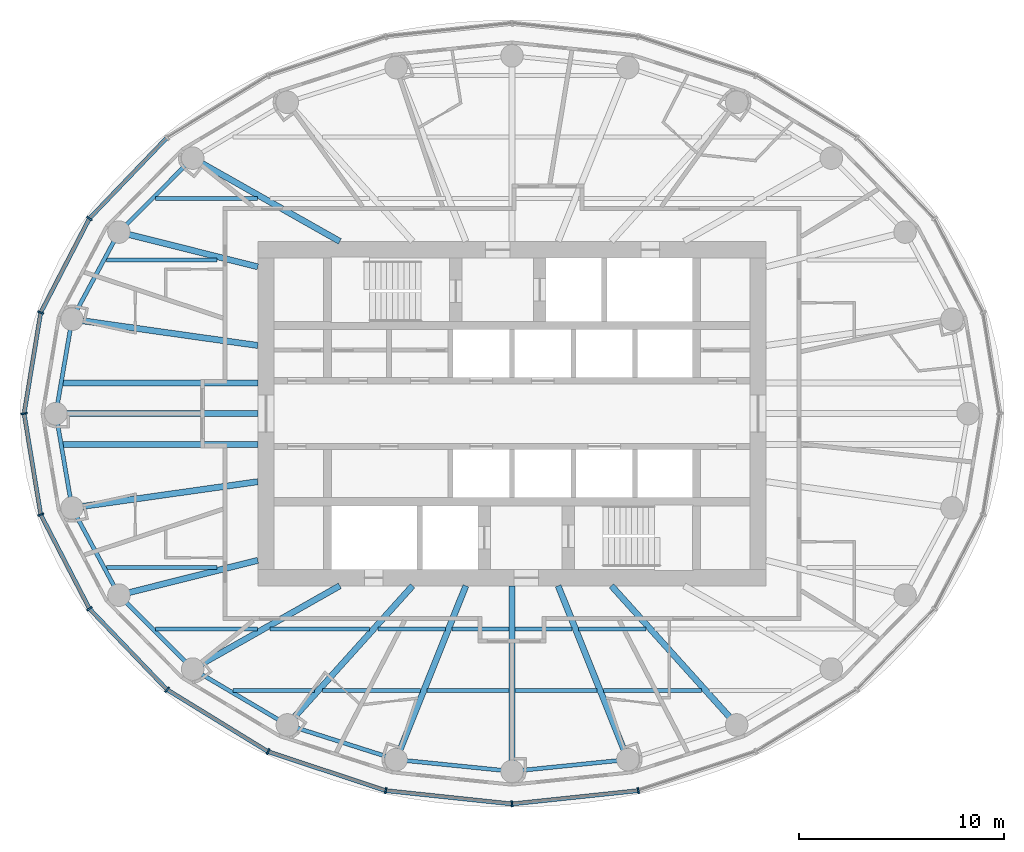
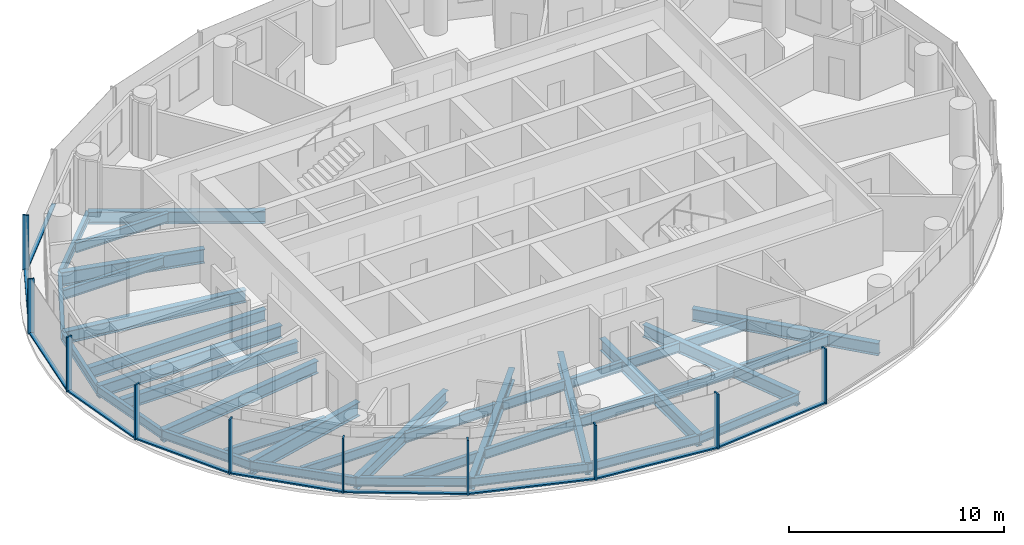
# One storey, part 2 of 13: 38 beams, 20 members, 3 elements without a shape of their own.
"""IFC4 building model written with IfcOpenShell, lengths in metres."""

from ifc_helpers import new_model, si_unit, direction, frame, origin, origin_2d, place, context, subcontext, project, spatial, rectangle, i_section, extrude, material, material_profile, profile_set, type_object, element, aggregate, save


model = new_model("IFC4")

# Units and contexts
model_context = context("Model", 3, precision=1e-05, world=origin(), true_north=direction((0.0, 1.0)))
body_context = subcontext(model_context, "Body", "Model", "MODEL_VIEW")
ifc_project = project(units=[si_unit("LENGTHUNIT", "METRE"), si_unit("AREAUNIT", "SQUARE_METRE"), si_unit("VOLUMEUNIT", "CUBIC_METRE"), si_unit("PLANEANGLEUNIT", "RADIAN"), si_unit("MASSUNIT", "GRAM", prefix="KILO")], contexts=[model_context])

# Site, building, storey
site_placement = place(None, origin())
site = spatial("IfcSite", under=ifc_project, at=site_placement, CompositionType="ELEMENT")
building_placement = place(site_placement, origin())
building = spatial("IfcBuilding", under=site, at=building_placement, Name="Hankou Lantern Tower", CompositionType="ELEMENT")
storey_placement = place(building_placement, frame((0.0, 0.0, 159.89990234375)))
storey = spatial("IfcBuildingStorey", under=building, at=storey_placement, Name="L42", CompositionType="ELEMENT", Elevation=159.89990234375)

# Beams
ifc_material_1 = material(Name="Steel Q355B", Category="steel")
ifc_material_profile_1 = material_profile(ifc_material_1, i_section(OverallWidth=0.199951171875, OverallDepth=0.5, WebThickness=0.010009765625, FlangeThickness=0.01611328125, FilletRadius=0.012939453125, at=origin_2d()), Name="HN500x200x10x16")
ifc_profile_set_1 = profile_set([ifc_material_profile_1], Name="Steel Q355B")
beam_type_1 = type_object("IfcBeamType", Name="EB5 RING BEAM HN500x200x10x16", PredefinedType="SPANDREL", material=ifc_profile_set_1)
beam_1_placement = place(storey_placement, frame((-15.576171875, 12.4609375, -0.429931640625), z_axis=(-0.706147278092, -0.708064984054, 0.0), x_axis=(0.708064984054, -0.706147278092, 0.0)))
element("IfcBeam", 1, at=beam_1_placement, inside=storey, type_object=beam_type_1, Name="Ring beam R10-R11 L42", PredefinedType="SPANDREL", context=body_context, shape_type="SweptSolid", body=[
    extrude(i_section(OverallWidth=0.199951171875, OverallDepth=0.5, WebThickness=0.010009765625, FlangeThickness=0.01611328125, FilletRadius=0.012939453125, at=origin_2d()), origin(), (0.0, 0.0, 1.0), 5.09228515625),
])
beam_2_placement = place(storey_placement, frame((-19.172119140625, 8.855224609375, -0.429931640625), z_axis=(-0.474051612334, -0.880497057828, 0.0), x_axis=(0.880497057828, -0.474051612334, 0.0)))
element("IfcBeam", 2, at=beam_2_placement, inside=storey, type_object=beam_type_1, Name="Ring beam R11-R12 L42", PredefinedType="SPANDREL", context=body_context, shape_type="SweptSolid", body=[
    extrude(i_section(OverallWidth=0.199951171875, OverallDepth=0.5, WebThickness=0.010009765625, FlangeThickness=0.01611328125, FilletRadius=0.012939453125, at=origin_2d()), origin(), (0.0, 0.0, 1.0), 4.831787109375),
])
for number, where, z_axis, x_axis, name in (
    (3, (-21.462646484375, 4.600830078125, -0.429931640625), (-0.168680718946, -0.985670743735, 0.0), (0.985670743735, -0.168680718946, 0.0), "Ring beam R12-R13 L42"),
    (4, (-22.25, 0.0, -0.429931640625), (0.168680718946, -0.985670743735, 0.0), (0.985670743735, 0.168680718946, 0.0), "Ring beam R13-R14 L42"),
):
    element("IfcBeam", number, at=place(storey_placement, frame(where, z_axis=z_axis, x_axis=x_axis)), inside=storey, type_object=beam_type_1, Name=name, PredefinedType="SPANDREL", context=body_context, shape_type="SweptSolid", body=[
        extrude(i_section(OverallWidth=0.199951171875, OverallDepth=0.5, WebThickness=0.010009765625, FlangeThickness=0.01611328125, FilletRadius=0.012939453125, at=origin_2d()), origin(), (0.0, 0.0, 1.0), 4.667724609375),
    ])
beam_3_placement = place(storey_placement, frame((-21.462646484375, -4.600830078125, -0.429931640625), z_axis=(0.474051612334, -0.880497057828, 0.0), x_axis=(0.880497057828, 0.474051612334, 0.0)))
element("IfcBeam", 5, at=beam_3_placement, inside=storey, type_object=beam_type_1, Name="Ring beam R14-R15 L42", PredefinedType="SPANDREL", context=body_context, shape_type="SweptSolid", body=[
    extrude(i_section(OverallWidth=0.199951171875, OverallDepth=0.5, WebThickness=0.010009765625, FlangeThickness=0.01611328125, FilletRadius=0.012939453125, at=origin_2d()), origin(), (0.0, 0.0, 1.0), 4.831787109375),
])
beam_4_placement = place(storey_placement, frame((-19.172119140625, -8.855224609375, -0.429931640625), z_axis=(0.706147278092, -0.708064984054, 0.0), x_axis=(0.708064984054, 0.706147278092, 0.0)))
element("IfcBeam", 6, at=beam_4_placement, inside=storey, type_object=beam_type_1, Name="Ring beam R15-R16 L42", PredefinedType="SPANDREL", context=body_context, shape_type="SweptSolid", body=[
    extrude(i_section(OverallWidth=0.199951171875, OverallDepth=0.5, WebThickness=0.010009765625, FlangeThickness=0.01611328125, FilletRadius=0.012939453125, at=origin_2d()), origin(), (0.0, 0.0, 1.0), 5.09228515625),
])
beam_5_placement = place(storey_placement, frame((-15.576171875, -12.4609375, -0.429931640625), z_axis=(0.861135888339, -0.508374843806, 0.0), x_axis=(0.508374843806, 0.861135888339, 0.0)))
element("IfcBeam", 7, at=beam_5_placement, inside=storey, type_object=beam_type_1, Name="Ring beam R16-R17 L42", PredefinedType="SPANDREL", context=body_context, shape_type="SweptSolid", body=[
    extrude(i_section(OverallWidth=0.199951171875, OverallDepth=0.5, WebThickness=0.010009765625, FlangeThickness=0.01611328125, FilletRadius=0.012939453125, at=origin_2d()), origin(), (0.0, 0.0, 1.0), 5.36083984375),
])
beam_6_placement = place(storey_placement, frame((-10.959716796875, -15.186279296875, -0.429931640625), z_axis=(0.952790404271, -0.30362879562, 0.0), x_axis=(0.30362879562, 0.952790404271, 0.0)))
element("IfcBeam", 8, at=beam_6_placement, inside=storey, type_object=beam_type_1, Name="Ring beam R17-R18 L42", PredefinedType="SPANDREL", context=body_context, shape_type="SweptSolid", body=[
    extrude(i_section(OverallWidth=0.199951171875, OverallDepth=0.5, WebThickness=0.010009765625, FlangeThickness=0.01611328125, FilletRadius=0.012939453125, at=origin_2d()), origin(), (0.0, 0.0, 1.0), 5.56982421875),
])
for number, where, z_axis, x_axis, name in (
    (9, (-5.65283203125, -16.87744140625, -0.429931640625), (0.9949104636, -0.100762936734, 0.0), (0.100762936734, 0.9949104636, 0.0), "Ring beam R18-R19 L42"),
    (10, (0.0, -17.449951171875, -0.429931640625), (0.9949104636, 0.100762936734, 0.0), (-0.100762936734, 0.9949104636, 0.0), "Ring beam R19-R20 L42"),
):
    element("IfcBeam", number, at=place(storey_placement, frame(where, z_axis=z_axis, x_axis=x_axis)), inside=storey, type_object=beam_type_1, Name=name, PredefinedType="SPANDREL", context=body_context, shape_type="SweptSolid", body=[
        extrude(i_section(OverallWidth=0.199951171875, OverallDepth=0.5, WebThickness=0.010009765625, FlangeThickness=0.01611328125, FilletRadius=0.012939453125, at=origin_2d()), origin(), (0.0, 0.0, 1.0), 5.681640625),
    ])

# Curtain wall, members
ifc_material_2 = material(Name="Glass, dark grey tinted laminated", Category="glass")
curtain_wall_type = type_object("IfcCurtainWallType", Name="CWC OUTER SKIN HIGH-RISE", PredefinedType="USERDEFINED", material=ifc_material_2)
curtain_wall_1_placement = place(storey_placement, origin())
curtain_wall_1 = element("IfcCurtainWall", 11, at=curtain_wall_1_placement, inside=storey, type_object=curtain_wall_type, Name="CWC L42 OS2", ObjectType="OUTER SKIN HIGH-RISE", PredefinedType="USERDEFINED")
ifc_material_3 = material(Name="Aluminium, black anodised", Category="aluminium")
ifc_material_profile_2 = material_profile(ifc_material_3, rectangle(XDim=0.080078125, YDim=0.300048828125, at=origin_2d()), Name="MU1 80X300")
ifc_profile_set_2 = profile_set([ifc_material_profile_2], Name="Aluminium, black anodised")
member_type_1 = type_object("IfcMemberType", Name="MU1 OUTER SKIN MULLION 80X300", PredefinedType="MULLION", material=ifc_profile_set_2)
member_1_placement = place(storey_placement, frame((-20.611328125, 9.52001953125, 0.0), z_axis=(0.0, 0.0, 1.0), x_axis=(-0.585205735974, -0.810884854084, 0.0)))
member_1 = element("IfcMember", 12, at=member_1_placement, type_object=member_type_1, Name="CWC mullion 5", PredefinedType="MULLION", context=body_context, shape_type="SweptSolid", body=[
    extrude(rectangle(XDim=0.080078125, YDim=0.300048828125, at=origin_2d()), origin(), (0.0, 0.0, 1.0), 3.1201171875),
])
member_2_placement = place(storey_placement, frame((-22.989013671875, 4.927978515625, 0.0), z_axis=(0.0, 0.0, 1.0), x_axis=(-0.317595577365, -0.94822626479, 0.0)))
member_2 = element("IfcMember", 13, at=member_2_placement, type_object=member_type_1, Name="CWC mullion 6", PredefinedType="MULLION", context=body_context, shape_type="SweptSolid", body=[
    extrude(rectangle(XDim=0.080078125, YDim=0.300048828125, at=origin_2d()), origin(), (0.0, 0.0, 1.0), 3.1201171875),
])

curtain_wall_2_placement = place(storey_placement, origin())
curtain_wall_2 = element("IfcCurtainWall", 14, at=curtain_wall_2_placement, inside=storey, type_object=curtain_wall_type, Name="CWC L42 OS3", ObjectType="OUTER SKIN HIGH-RISE", PredefinedType="USERDEFINED")
member_3_placement = place(storey_placement, frame((-23.800048828125, 0.0, 0.0), z_axis=(0.0, 0.0, 1.0), x_axis=(0.162381515188, -0.986728049427, 0.0)))
member_3 = element("IfcMember", 15, at=member_3_placement, type_object=member_type_1, Name="CWC mullion 1", PredefinedType="MULLION", context=body_context, shape_type="SweptSolid", body=[
    extrude(rectangle(XDim=0.080078125, YDim=0.300048828125, at=origin_2d()), origin(), (0.0, 0.0, 1.0), 3.1201171875),
])
member_4_placement = place(storey_placement, frame((-22.989013671875, -4.927978515625, 0.0), z_axis=(0.0, 0.0, 1.0), x_axis=(0.317595577365, -0.94822626479, 0.0)))
member_4 = element("IfcMember", 16, at=member_4_placement, type_object=member_type_1, Name="CWC mullion 2", PredefinedType="MULLION", context=body_context, shape_type="SweptSolid", body=[
    extrude(rectangle(XDim=0.080078125, YDim=0.300048828125, at=origin_2d()), origin(), (0.0, 0.0, 1.0), 3.1201171875),
])
member_5_placement = place(storey_placement, frame((-20.611328125, -9.52001953125, 0.0), z_axis=(0.0, 0.0, 1.0), x_axis=(0.585205735974, -0.810884854084, 0.0)))
member_5 = element("IfcMember", 17, at=member_5_placement, type_object=member_type_1, Name="CWC mullion 3", PredefinedType="MULLION", context=body_context, shape_type="SweptSolid", body=[
    extrude(rectangle(XDim=0.080078125, YDim=0.300048828125, at=origin_2d()), origin(), (0.0, 0.0, 1.0), 3.1201171875),
])
member_6_placement = place(storey_placement, frame((-16.8291015625, -13.46337890625, 0.0), z_axis=(0.0, 0.0, 1.0), x_axis=(0.780868809444, -0.624695047553, 0.0)))
member_6 = element("IfcMember", 18, at=member_6_placement, type_object=member_type_1, Name="CWC mullion 4", PredefinedType="MULLION", context=body_context, shape_type="SweptSolid", body=[
    extrude(rectangle(XDim=0.080078125, YDim=0.300048828125, at=origin_2d()), origin(), (0.0, 0.0, 1.0), 3.1201171875),
])
member_7_placement = place(storey_placement, frame((-11.89990234375, -16.489013671875, 0.0), z_axis=(0.0, 0.0, 1.0), x_axis=(0.907841299004, -0.419313934686, 0.0)))
member_7 = element("IfcMember", 19, at=member_7_placement, type_object=member_type_1, Name="CWC mullion 5", PredefinedType="MULLION", context=body_context, shape_type="SweptSolid", body=[
    extrude(rectangle(XDim=0.080078125, YDim=0.300048828125, at=origin_2d()), origin(), (0.0, 0.0, 1.0), 3.1201171875),
])
member_8_placement = place(storey_placement, frame((-6.159912109375, -18.39111328125, 0.0), z_axis=(0.0, 0.0, 1.0), x_axis=(0.977787659625, -0.209597931016, 0.0)))
member_8 = element("IfcMember", 20, at=member_8_placement, type_object=member_type_1, Name="CWC mullion 6", PredefinedType="MULLION", context=body_context, shape_type="SweptSolid", body=[
    extrude(rectangle(XDim=0.080078125, YDim=0.300048828125, at=origin_2d()), origin(), (0.0, 0.0, 1.0), 3.1201171875),
])

curtain_wall_3_placement = place(storey_placement, origin())
curtain_wall_3 = element("IfcCurtainWall", 21, at=curtain_wall_3_placement, inside=storey, type_object=curtain_wall_type, Name="CWC L42 OS4", ObjectType="OUTER SKIN HIGH-RISE", PredefinedType="USERDEFINED")
member_9_placement = place(storey_placement, frame((0.0, -19.0400390625, 0.0), z_axis=(0.0, 0.0, 1.0), x_axis=(0.994499359107, 0.104742659579, 0.0)))
member_9 = element("IfcMember", 22, at=member_9_placement, type_object=member_type_1, Name="CWC mullion 1", PredefinedType="MULLION", context=body_context, shape_type="SweptSolid", body=[
    extrude(rectangle(XDim=0.080078125, YDim=0.300048828125, at=origin_2d()), origin(), (0.0, 0.0, 1.0), 3.1201171875),
])
member_10_placement = place(storey_placement, frame((6.159912109375, -18.39111328125, 0.0), z_axis=(0.0, 0.0, 1.0), x_axis=(0.977787659625, 0.209597931016, 0.0)))
member_10 = element("IfcMember", 23, at=member_10_placement, type_object=member_type_1, Name="CWC mullion 2", PredefinedType="MULLION", context=body_context, shape_type="SweptSolid", body=[
    extrude(rectangle(XDim=0.080078125, YDim=0.300048828125, at=origin_2d()), origin(), (0.0, 0.0, 1.0), 3.1201171875),
])

# Beams
ifc_material_4 = material(Name="Steel Q355B", Category="steel")
ifc_material_profile_3 = material_profile(ifc_material_4, i_section(OverallWidth=0.300048828125, OverallDepth=0.800048828125, WebThickness=0.013916015625, FlangeThickness=0.02587890625, FilletRadius=0.01806640625, at=origin_2d()), Name="HN800x300x14x26")
ifc_profile_set_3 = profile_set([ifc_material_profile_3], Name="Steel Q355B")
beam_type_2 = type_object("IfcBeamType", Name="RB11 RADIAL BEAM HN800x300x14x26", PredefinedType="BEAM", material=ifc_profile_set_3)
for number, where, z_axis, x_axis, name in (
    (24, (-12.39990234375, 7.1591796875, -0.579833984375), (-0.970041619568, 0.242938791274, 0.0), (-0.242938791274, -0.970041619568, 0.0), "Radial beam R11 L42"),
    (25, (-12.39990234375, -7.1591796875, -0.579833984375), (-0.970041619568, -0.242938791274, 0.0), (0.242938791274, -0.970041619568, 0.0), "Radial beam R15 L42"),
):
    element("IfcBeam", number, at=place(storey_placement, frame(where, z_axis=z_axis, x_axis=x_axis)), inside=storey, type_object=beam_type_2, Name=name, PredefinedType="BEAM", context=body_context, shape_type="SweptSolid", body=[
        extrude(i_section(OverallWidth=0.300048828125, OverallDepth=0.800048828125, WebThickness=0.013916015625, FlangeThickness=0.02587890625, FilletRadius=0.01806640625, at=origin_2d()), origin(), (0.0, 0.0, 1.0), 6.9814453125),
    ])
ifc_material_5 = material(Name="Steel Q355B", Category="steel")
ifc_material_profile_4 = material_profile(ifc_material_5, i_section(OverallWidth=0.300048828125, OverallDepth=0.699951171875, WebThickness=0.012939453125, FlangeThickness=0.02392578125, FilletRadius=0.01806640625, at=origin_2d()), Name="HN700x300x13x24")
ifc_profile_set_4 = profile_set([ifc_material_profile_4], Name="Steel Q355B")
beam_type_3 = type_object("IfcBeamType", Name="RB9 RADIAL BEAM HN700x300x13x24", PredefinedType="BEAM", material=ifc_profile_set_4)
beam_7_placement = place(storey_placement, frame((-8.39990234375, 8.39990234375, -0.52978515625), z_axis=(-0.870309058024, 0.492505983234, 0.0), x_axis=(-0.492505983234, -0.870309058024, 0.0)))
element("IfcBeam", 26, at=beam_7_placement, inside=storey, type_object=beam_type_3, Name="Radial beam R10 L42", PredefinedType="BEAM", context=body_context, shape_type="SweptSolid", body=[
    extrude(i_section(OverallWidth=0.300048828125, OverallDepth=0.699951171875, WebThickness=0.012939453125, FlangeThickness=0.02392578125, FilletRadius=0.01806640625, at=origin_2d()), origin(), (0.0, 0.0, 1.0), 8.24560546875),
])
beam_8_placement = place(storey_placement, frame((-12.39990234375, 3.322509765625, -0.52978515625), z_axis=(-0.990198154617, 0.13966966239, 0.0), x_axis=(-0.13966966239, -0.990198154617, 0.0)))
element("IfcBeam", 27, at=beam_8_placement, inside=storey, type_object=beam_type_3, Name="Radial beam R12 L42", PredefinedType="BEAM", context=body_context, shape_type="SweptSolid", body=[
    extrude(i_section(OverallWidth=0.300048828125, OverallDepth=0.699951171875, WebThickness=0.012939453125, FlangeThickness=0.02392578125, FilletRadius=0.01806640625, at=origin_2d()), origin(), (0.0, 0.0, 1.0), 9.15234375),
])
beam_9_placement = place(storey_placement, frame((-12.39990234375, 0.0, -0.52978515625), z_axis=(-1.0, 0.0, 0.0), x_axis=(0.0, -1.0, 0.0)))
element("IfcBeam", 28, at=beam_9_placement, inside=storey, type_object=beam_type_3, Name="Radial beam R13 L42", PredefinedType="BEAM", context=body_context, shape_type="SweptSolid", body=[
    extrude(i_section(OverallWidth=0.300048828125, OverallDepth=0.699951171875, WebThickness=0.012939453125, FlangeThickness=0.02392578125, FilletRadius=0.01806640625, at=origin_2d()), origin(), (0.0, 0.0, 1.0), 9.85009765625),
])
beam_10_placement = place(storey_placement, frame((-12.39990234375, -3.322509765625, -0.52978515625), z_axis=(-0.990198154617, -0.13966966239, 0.0), x_axis=(0.13966966239, -0.990198154617, 0.0)))
element("IfcBeam", 29, at=beam_10_placement, inside=storey, type_object=beam_type_3, Name="Radial beam R14 L42", PredefinedType="BEAM", context=body_context, shape_type="SweptSolid", body=[
    extrude(i_section(OverallWidth=0.300048828125, OverallDepth=0.699951171875, WebThickness=0.012939453125, FlangeThickness=0.02392578125, FilletRadius=0.01806640625, at=origin_2d()), origin(), (0.0, 0.0, 1.0), 9.15234375),
])
beam_11_placement = place(storey_placement, frame((-8.39990234375, -8.39990234375, -0.52978515625), z_axis=(-0.870309058024, -0.492505983234, 0.0), x_axis=(0.492505983234, -0.870309058024, 0.0)))
element("IfcBeam", 30, at=beam_11_placement, inside=storey, type_object=beam_type_3, Name="Radial beam R16 L42", PredefinedType="BEAM", context=body_context, shape_type="SweptSolid", body=[
    extrude(i_section(OverallWidth=0.300048828125, OverallDepth=0.699951171875, WebThickness=0.012939453125, FlangeThickness=0.02392578125, FilletRadius=0.01806640625, at=origin_2d()), origin(), (0.0, 0.0, 1.0), 8.24560546875),
])
beam_12_placement = place(storey_placement, frame((-4.849853515625, -8.39990234375, -0.52978515625), z_axis=(-0.669093231314, -0.743178476418, 0.0), x_axis=(0.743178476418, -0.669093231314, 0.0)))
element("IfcBeam", 31, at=beam_12_placement, inside=storey, type_object=beam_type_3, Name="Radial beam R17 L42", PredefinedType="BEAM", context=body_context, shape_type="SweptSolid", body=[
    extrude(i_section(OverallWidth=0.300048828125, OverallDepth=0.699951171875, WebThickness=0.012939453125, FlangeThickness=0.02392578125, FilletRadius=0.01806640625, at=origin_2d()), origin(), (0.0, 0.0, 1.0), 9.131591796875),
])
beam_13_placement = place(storey_placement, frame((-2.250732421875, -8.39990234375, -0.52978515625), z_axis=(-0.372436468133, -0.928057690666, 0.0), x_axis=(0.928057690666, -0.372436468133, 0.0)))
element("IfcBeam", 32, at=beam_13_placement, inside=storey, type_object=beam_type_3, Name="Radial beam R18 L42", PredefinedType="BEAM", context=body_context, shape_type="SweptSolid", body=[
    extrude(i_section(OverallWidth=0.300048828125, OverallDepth=0.699951171875, WebThickness=0.012939453125, FlangeThickness=0.02392578125, FilletRadius=0.01806640625, at=origin_2d()), origin(), (0.0, 0.0, 1.0), 9.134765625),
])
beam_14_placement = place(storey_placement, frame((0.0, -8.39990234375, -0.52978515625), z_axis=(0.0, -1.0, 0.0), x_axis=(1.0, 0.0, 0.0)))
element("IfcBeam", 33, at=beam_14_placement, inside=storey, type_object=beam_type_3, Name="Radial beam R19 L42", PredefinedType="BEAM", context=body_context, shape_type="SweptSolid", body=[
    extrude(i_section(OverallWidth=0.300048828125, OverallDepth=0.699951171875, WebThickness=0.012939453125, FlangeThickness=0.02392578125, FilletRadius=0.01806640625, at=origin_2d()), origin(), (0.0, 0.0, 1.0), 9.050048828125),
])
beam_15_placement = place(storey_placement, frame((2.250732421875, -8.39990234375, -0.52978515625), z_axis=(0.372436468133, -0.928057690666, 0.0), x_axis=(0.928057690666, 0.372436468133, 0.0)))
element("IfcBeam", 34, at=beam_15_placement, inside=storey, type_object=beam_type_3, Name="Radial beam R20 L42", PredefinedType="BEAM", context=body_context, shape_type="SweptSolid", body=[
    extrude(i_section(OverallWidth=0.300048828125, OverallDepth=0.699951171875, WebThickness=0.012939453125, FlangeThickness=0.02392578125, FilletRadius=0.01806640625, at=origin_2d()), origin(), (0.0, 0.0, 1.0), 9.134765625),
])
beam_16_placement = place(storey_placement, frame((4.849853515625, -8.39990234375, -0.52978515625), z_axis=(0.669093231314, -0.743178476418, 0.0), x_axis=(0.743178476418, 0.669093231314, 0.0)))
element("IfcBeam", 35, at=beam_16_placement, inside=storey, type_object=beam_type_3, Name="Radial beam R21 L42", PredefinedType="BEAM", context=body_context, shape_type="SweptSolid", body=[
    extrude(i_section(OverallWidth=0.300048828125, OverallDepth=0.699951171875, WebThickness=0.012939453125, FlangeThickness=0.02392578125, FilletRadius=0.01806640625, at=origin_2d()), origin(), (0.0, 0.0, 1.0), 9.131591796875),
])
ifc_material_6 = material(Name="Steel Q355B", Category="steel")
ifc_material_profile_5 = material_profile(ifc_material_6, i_section(OverallWidth=0.199951171875, OverallDepth=0.550048828125, WebThickness=0.010009765625, FlangeThickness=0.01611328125, FilletRadius=0.012939453125, at=origin_2d()), Name="HN550x200x10x16")
ifc_profile_set_5 = profile_set([ifc_material_profile_5], Name="Steel Q355B")
beam_type_4 = type_object("IfcBeamType", Name="SB6 SECONDARY BEAM HN550x200x10x16", PredefinedType="JOIST", material=ifc_profile_set_5)
beam_17_placement = place(storey_placement, frame((-13.619384765625, -13.5, -0.454833984375), z_axis=(1.0, 0.0, 0.0), x_axis=(0.0, 1.0, 0.0)))
element("IfcBeam", 36, at=beam_17_placement, inside=storey, type_object=beam_type_4, Name="Floor joist J001 L42", PredefinedType="JOIST", context=body_context, shape_type="SweptSolid", body=[
    extrude(i_section(OverallWidth=0.199951171875, OverallDepth=0.550048828125, WebThickness=0.010009765625, FlangeThickness=0.01611328125, FilletRadius=0.012939453125, at=origin_2d()), origin(), (0.0, 0.0, 1.0), 3.97607421875),
])
beam_18_placement = place(storey_placement, frame((-9.23974609375, -13.5, -0.454833984375), z_axis=(1.0, 0.0, 0.0), x_axis=(0.0, 1.0, 0.0)))
element("IfcBeam", 37, at=beam_18_placement, inside=storey, type_object=beam_type_4, Name="Floor joist J002 L42", PredefinedType="JOIST", context=body_context, shape_type="SweptSolid", body=[
    extrude(i_section(OverallWidth=0.199951171875, OverallDepth=0.550048828125, WebThickness=0.010009765625, FlangeThickness=0.01611328125, FilletRadius=0.012939453125, at=origin_2d()), origin(), (0.0, 0.0, 1.0), 4.780517578125),
])
for number, where, z_axis, x_axis, name in (
    (38, (-4.135986328125, -13.5, -0.454833984375), (1.0, 0.0, 0.0), (0.0, 1.0, 0.0), "Floor joist J003 L42"),
    (39, (0.14990234375, -13.5, -0.454833984375), (1.0, 0.0, 0.0), (0.0, 1.0, 0.0), "Floor joist J004 L42"),
):
    element("IfcBeam", number, at=place(storey_placement, frame(where, z_axis=z_axis, x_axis=x_axis)), inside=storey, type_object=beam_type_4, Name=name, PredefinedType="JOIST", context=body_context, shape_type="SweptSolid", body=[
        extrude(i_section(OverallWidth=0.199951171875, OverallDepth=0.550048828125, WebThickness=0.010009765625, FlangeThickness=0.01611328125, FilletRadius=0.012939453125, at=origin_2d()), origin(), (0.0, 0.0, 1.0), 3.986083984375),
    ])
beam_19_placement = place(storey_placement, frame((4.459228515625, -13.5, -0.454833984375), z_axis=(1.0, 0.0, 0.0), x_axis=(0.0, 1.0, 0.0)))
element("IfcBeam", 40, at=beam_19_placement, inside=storey, type_object=beam_type_4, Name="Floor joist J005 L42", PredefinedType="JOIST", context=body_context, shape_type="SweptSolid", body=[
    extrude(i_section(OverallWidth=0.199951171875, OverallDepth=0.550048828125, WebThickness=0.010009765625, FlangeThickness=0.01611328125, FilletRadius=0.012939453125, at=origin_2d()), origin(), (0.0, 0.0, 1.0), 4.780517578125),
])
beam_20_placement = place(storey_placement, frame((-17.390625, -10.5, -0.454833984375), z_axis=(1.0, 0.0, 0.0), x_axis=(0.0, 1.0, 0.0)))
element("IfcBeam", 41, at=beam_20_placement, inside=storey, type_object=beam_type_4, Name="Floor joist J007 L42", PredefinedType="JOIST", context=body_context, shape_type="SweptSolid", body=[
    extrude(i_section(OverallWidth=0.199951171875, OverallDepth=0.550048828125, WebThickness=0.010009765625, FlangeThickness=0.01611328125, FilletRadius=0.012939453125, at=origin_2d()), origin(), (0.0, 0.0, 1.0), 4.97509765625),
])
beam_21_placement = place(storey_placement, frame((-11.806396484375, -10.5, -0.454833984375), z_axis=(1.0, 0.0, 0.0), x_axis=(0.0, 1.0, 0.0)))
element("IfcBeam", 42, at=beam_21_placement, inside=storey, type_object=beam_type_4, Name="Floor joist J008 L42", PredefinedType="JOIST", context=body_context, shape_type="SweptSolid", body=[
    extrude(i_section(OverallWidth=0.199951171875, OverallDepth=0.550048828125, WebThickness=0.010009765625, FlangeThickness=0.01611328125, FilletRadius=0.012939453125, at=origin_2d()), origin(), (0.0, 0.0, 1.0), 4.864013671875),
])
beam_22_placement = place(storey_placement, frame((-6.53857421875, -10.5, -0.454833984375), z_axis=(1.0, 0.0, 0.0), x_axis=(0.0, 1.0, 0.0)))
element("IfcBeam", 43, at=beam_22_placement, inside=storey, type_object=beam_type_4, Name="Floor joist J009 L42", PredefinedType="JOIST", context=body_context, shape_type="SweptSolid", body=[
    extrude(i_section(OverallWidth=0.199951171875, OverallDepth=0.550048828125, WebThickness=0.010009765625, FlangeThickness=0.01611328125, FilletRadius=0.012939453125, at=origin_2d()), origin(), (0.0, 0.0, 1.0), 3.283447265625),
])
for number, where, z_axis, x_axis, name in (
    (44, (-2.931884765625, -10.5, -0.454833984375), (1.0, 0.0, 0.0), (0.0, 1.0, 0.0), "Floor joist J010 L42"),
    (45, (0.14990234375, -10.5, -0.454833984375), (1.0, 0.0, 0.0), (0.0, 1.0, 0.0), "Floor joist J011 L42"),
):
    element("IfcBeam", number, at=place(storey_placement, frame(where, z_axis=z_axis, x_axis=x_axis)), inside=storey, type_object=beam_type_4, Name=name, PredefinedType="JOIST", context=body_context, shape_type="SweptSolid", body=[
        extrude(i_section(OverallWidth=0.199951171875, OverallDepth=0.550048828125, WebThickness=0.010009765625, FlangeThickness=0.01611328125, FilletRadius=0.012939453125, at=origin_2d()), origin(), (0.0, 0.0, 1.0), 2.781982421875),
    ])
beam_23_placement = place(storey_placement, frame((3.255126953125, -10.5, -0.454833984375), z_axis=(1.0, 0.0, 0.0), x_axis=(0.0, 1.0, 0.0)))
element("IfcBeam", 46, at=beam_23_placement, inside=storey, type_object=beam_type_4, Name="Floor joist J012 L42", PredefinedType="JOIST", context=body_context, shape_type="SweptSolid", body=[
    extrude(i_section(OverallWidth=0.199951171875, OverallDepth=0.550048828125, WebThickness=0.010009765625, FlangeThickness=0.01611328125, FilletRadius=0.012939453125, at=origin_2d()), origin(), (0.0, 0.0, 1.0), 3.283447265625),
])
for number, where, z_axis, x_axis, name in (
    (47, (-19.788330078125, -7.5, -0.454833984375), (1.0, 0.0, 0.0), (0.0, 1.0, 0.0), "Floor joist J015 L42"),
    (48, (-19.788330078125, 7.5, -0.454833984375), (1.0, 0.0, 0.0), (0.0, 1.0, 0.0), "Floor joist J025 L42"),
):
    element("IfcBeam", number, at=place(storey_placement, frame(where, z_axis=z_axis, x_axis=x_axis)), inside=storey, type_object=beam_type_4, Name=name, PredefinedType="JOIST", context=body_context, shape_type="SweptSolid", body=[
        extrude(i_section(OverallWidth=0.199951171875, OverallDepth=0.550048828125, WebThickness=0.010009765625, FlangeThickness=0.01611328125, FilletRadius=0.012939453125, at=origin_2d()), origin(), (0.0, 0.0, 1.0), 5.409912109375),
    ])
beam_24_placement = place(storey_placement, frame((-17.390625, 10.5, -0.454833984375), z_axis=(1.0, 0.0, 0.0), x_axis=(0.0, 1.0, 0.0)))
element("IfcBeam", 49, at=beam_24_placement, inside=storey, type_object=beam_type_4, Name="Floor joist J027 L42", PredefinedType="JOIST", context=body_context, shape_type="SweptSolid", body=[
    extrude(i_section(OverallWidth=0.199951171875, OverallDepth=0.550048828125, WebThickness=0.010009765625, FlangeThickness=0.01611328125, FilletRadius=0.012939453125, at=origin_2d()), origin(), (0.0, 0.0, 1.0), 4.97509765625),
])
ifc_material_7 = material(Name="Steel Q355B", Category="steel")
ifc_material_profile_6 = material_profile(ifc_material_7, i_section(OverallWidth=0.300048828125, OverallDepth=0.64990234375, WebThickness=0.010986328125, FlangeThickness=0.01708984375, FilletRadius=0.01806640625, at=origin_2d()), Name="HN650x300x11x17")
ifc_profile_set_6 = profile_set([ifc_material_profile_6], Name="Steel Q355B")
beam_type_5 = type_object("IfcBeamType", Name="SB8 SECONDARY BEAM HN650x300x11x17", PredefinedType="JOIST", material=ifc_profile_set_6)
for number, where, z_axis, x_axis, name in (
    (50, (-21.891845703125, -1.5, -0.5048828125), (1.0, 0.0, 0.0), (0.0, 1.0, 0.0), "Floor joist J019 L42"),
    (51, (-21.891845703125, 1.5, -0.5048828125), (1.0, 0.0, 0.0), (0.0, 1.0, 0.0), "Floor joist J021 L42"),
):
    element("IfcBeam", number, at=place(storey_placement, frame(where, z_axis=z_axis, x_axis=x_axis)), inside=storey, type_object=beam_type_5, Name=name, PredefinedType="JOIST", context=body_context, shape_type="SweptSolid", body=[
        extrude(i_section(OverallWidth=0.300048828125, OverallDepth=0.64990234375, WebThickness=0.010986328125, FlangeThickness=0.01708984375, FilletRadius=0.01806640625, at=origin_2d()), origin(), (0.0, 0.0, 1.0), 9.491943359375),
    ])

# Member
ifc_material_8 = material(Name="Aluminium, black anodised", Category="aluminium")
ifc_material_profile_7 = material_profile(ifc_material_8, rectangle(XDim=0.199951171875, YDim=0.080078125, at=origin_2d()), Name="TR1 200X80")
ifc_profile_set_7 = profile_set([ifc_material_profile_7], Name="Aluminium, black anodised")
member_type_2 = type_object("IfcMemberType", Name="TR1 OUTER SKIN TRANSOM 200X80", PredefinedType="USERDEFINED", material=ifc_profile_set_7)
member_11_placement = place(storey_placement, frame((-16.85693359375, 13.434326171875, 0.0400390625), z_axis=(-0.692215543831, -0.721690820836, 0.0), x_axis=(0.721690820836, -0.692215543831, 0.0)))
member_11 = element("IfcMember", 52, at=member_11_placement, type_object=member_type_2, Name="CWC transom 4", ObjectType="TRANSOM", PredefinedType="USERDEFINED", context=body_context, shape_type="SweptSolid", body=[
    extrude(rectangle(XDim=0.199951171875, YDim=0.080078125, at=origin_2d()), origin(), (0.0, 0.0, 1.0), 5.3837890625),
])

member_12_placement = place(storey_placement, frame((-20.6298828125, 9.484375, 0.0400390625), z_axis=(-0.459790772977, -0.888027277219, 0.0), x_axis=(0.888027277219, -0.459790772977, 0.0)))
member_12 = element("IfcMember", 53, at=member_12_placement, type_object=member_type_2, Name="CWC transom 5", ObjectType="TRANSOM", PredefinedType="USERDEFINED", context=body_context, shape_type="SweptSolid", body=[
    extrude(rectangle(XDim=0.199951171875, YDim=0.080078125, at=origin_2d()), origin(), (0.0, 0.0, 1.0), 5.091064453125),
])

member_13_placement = place(storey_placement, frame((-22.99560546875, 4.888427734375, 0.0400390625), z_axis=(-0.162360337061, -0.986731534385, 0.0), x_axis=(0.986731534385, -0.162360337061, 0.0)))
member_13 = element("IfcMember", 54, at=member_13_placement, type_object=member_type_2, Name="CWC transom 6", ObjectType="TRANSOM", PredefinedType="USERDEFINED", context=body_context, shape_type="SweptSolid", body=[
    extrude(rectangle(XDim=0.199951171875, YDim=0.080078125, at=origin_2d()), origin(), (0.0, 0.0, 1.0), 4.9140625),
])

aggregate(curtain_wall_1, [member_1, member_2, member_11, member_12, member_13])

member_14_placement = place(storey_placement, frame((-23.79345703125, -0.03955078125, 0.0400390625), z_axis=(0.162360337061, -0.986731534385, 0.0), x_axis=(0.986731534385, 0.162360337061, 0.0)))
member_14 = element("IfcMember", 55, at=member_14_placement, type_object=member_type_2, Name="CWC transom 1", ObjectType="TRANSOM", PredefinedType="USERDEFINED", context=body_context, shape_type="SweptSolid", body=[
    extrude(rectangle(XDim=0.199951171875, YDim=0.080078125, at=origin_2d()), origin(), (0.0, 0.0, 1.0), 4.9140625),
])

member_15_placement = place(storey_placement, frame((-22.970703125, -4.96337890625, 0.0400390625), z_axis=(0.459790772977, -0.888027277219, 0.0), x_axis=(0.888027277219, 0.459790772977, 0.0)))
member_15 = element("IfcMember", 56, at=member_15_placement, type_object=member_type_2, Name="CWC transom 2", ObjectType="TRANSOM", PredefinedType="USERDEFINED", context=body_context, shape_type="SweptSolid", body=[
    extrude(rectangle(XDim=0.199951171875, YDim=0.080078125, at=origin_2d()), origin(), (0.0, 0.0, 1.0), 5.091064453125),
])

member_16_placement = place(storey_placement, frame((-20.583740234375, -9.548828125, 0.0400390625), z_axis=(0.692215543831, -0.721690820836, 0.0), x_axis=(0.721690820836, 0.692215543831, 0.0)))
member_16 = element("IfcMember", 57, at=member_16_placement, type_object=member_type_2, Name="CWC transom 3", ObjectType="TRANSOM", PredefinedType="USERDEFINED", context=body_context, shape_type="SweptSolid", body=[
    extrude(rectangle(XDim=0.199951171875, YDim=0.080078125, at=origin_2d()), origin(), (0.0, 0.0, 1.0), 5.3837890625),
])

member_17_placement = place(storey_placement, frame((-16.795166015625, -13.484130859375, 0.0400390625), z_axis=(0.852229482357, -0.523168146394, 0.0), x_axis=(0.523168146394, 0.852229482357, 0.0)))
member_17 = element("IfcMember", 58, at=member_17_placement, type_object=member_type_2, Name="CWC transom 4", ObjectType="TRANSOM", PredefinedType="USERDEFINED", context=body_context, shape_type="SweptSolid", body=[
    extrude(rectangle(XDim=0.199951171875, YDim=0.080078125, at=origin_2d()), origin(), (0.0, 0.0, 1.0), 5.703857421875),
])

member_18_placement = place(storey_placement, frame((-11.862060546875, -16.501708984375, 0.0400390625), z_axis=(0.949242327551, -0.314545709849, 0.0), x_axis=(0.314545709849, 0.949242327551, 0.0)))
member_18 = element("IfcMember", 59, at=member_18_placement, type_object=member_type_2, Name="CWC transom 5", ObjectType="TRANSOM", PredefinedType="USERDEFINED", context=body_context, shape_type="SweptSolid", body=[
    extrude(rectangle(XDim=0.199951171875, YDim=0.080078125, at=origin_2d()), origin(), (0.0, 0.0, 1.0), 5.96728515625),
])

member_19_placement = place(storey_placement, frame((-6.1201171875, -18.3955078125, 0.0400390625), z_axis=(0.994499543631, -0.104740907567, 0.0), x_axis=(0.104740907567, 0.994499543631, 0.0)))
member_19 = element("IfcMember", 60, at=member_19_placement, type_object=member_type_2, Name="CWC transom 6", ObjectType="TRANSOM", PredefinedType="USERDEFINED", context=body_context, shape_type="SweptSolid", body=[
    extrude(rectangle(XDim=0.199951171875, YDim=0.080078125, at=origin_2d()), origin(), (0.0, 0.0, 1.0), 6.114013671875),
])

aggregate(curtain_wall_2, [member_3, member_4, member_5, member_6, member_7, member_8, member_14, member_15, member_16, member_17, member_18, member_19])

member_20_placement = place(storey_placement, frame((0.039794921875, -19.035888671875, 0.0400390625), z_axis=(0.994499543631, 0.104740907567, 0.0), x_axis=(-0.104740907567, 0.994499543631, 0.0)))
member_20 = element("IfcMember", 61, at=member_20_placement, type_object=member_type_2, Name="CWC transom 1", ObjectType="TRANSOM", PredefinedType="USERDEFINED", context=body_context, shape_type="SweptSolid", body=[
    extrude(rectangle(XDim=0.199951171875, YDim=0.080078125, at=origin_2d()), origin(), (0.0, 0.0, 1.0), 6.114013671875),
])

aggregate(curtain_wall_3, [member_9, member_10, member_20])

save(model, "model.ifc")
